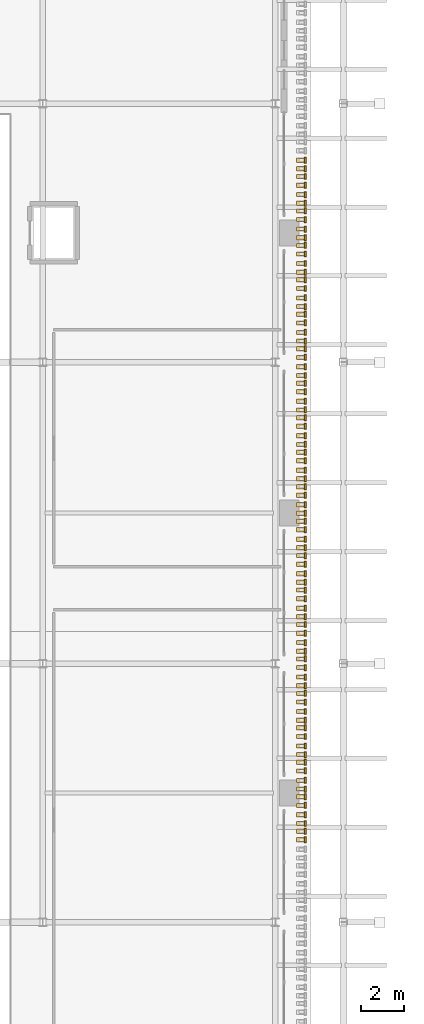
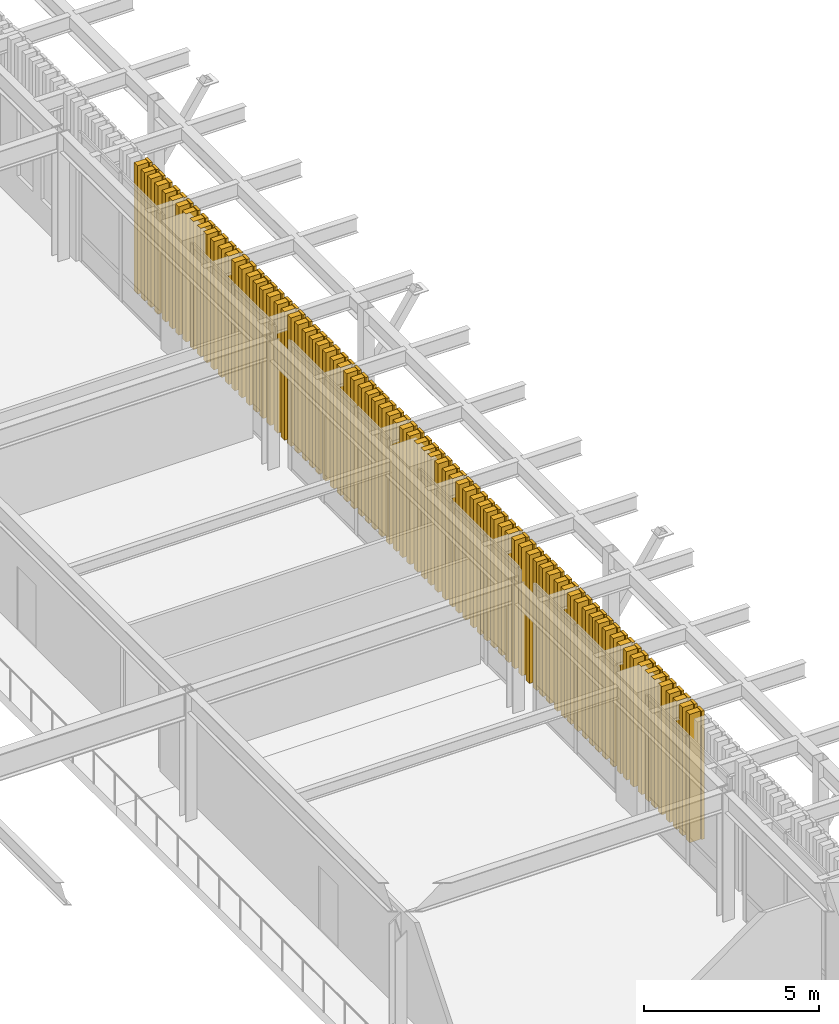
# One storey, part 122 of 126: 80 coverings, 80 shading devices.
"""IFC4 building model written with IfcOpenShell, lengths in metres."""

from ifc_helpers import new_model, si_unit, derived_unit, direction, frame, origin, origin_2d, place, context, subcontext, project, spatial, rectangle, extrude, material, layer, layer_set, material_profile, profile_set, type_object, element, save


model = new_model("IFC4")

# Units and contexts
model_context = context("Model", 3, precision=1e-05, world=origin(), true_north=direction((0.0, 1.0)))
body_context = subcontext(model_context, "Body", "Model", "MODEL_VIEW")
ifc_project = project(units=[si_unit("LENGTHUNIT", "METRE"), si_unit("AREAUNIT", "SQUARE_METRE"), si_unit("VOLUMEUNIT", "CUBIC_METRE"), si_unit("PLANEANGLEUNIT", "RADIAN"), si_unit("MASSUNIT", "GRAM", prefix="KILO"), derived_unit("THERMALTRANSMITTANCEUNIT", [(si_unit("MASSUNIT", "GRAM", prefix="KILO"), 1), (si_unit("TIMEUNIT", "SECOND"), -3), (si_unit("THERMODYNAMICTEMPERATUREUNIT", "KELVIN"), -1)])], contexts=[model_context])

# Site, building, storey
site_placement = place(None, origin())
site = spatial("IfcSite", under=ifc_project, at=site_placement, CompositionType="ELEMENT")
building_placement = place(site_placement, origin())
building = spatial("IfcBuilding", under=site, at=building_placement, Name="Valcora Ridge Arena", CompositionType="ELEMENT")
storey_placement = place(building_placement, frame((0.0, 0.0, 11.39990234375)))
storey = spatial("IfcBuildingStorey", under=building, at=storey_placement, Name="L02", CompositionType="ELEMENT", Elevation=11.39990234375)

# Coverings
ifc_material = material(Name="Anodised terracotta-bronze aluminium lancet batten 6063-T6", Category="masonry")
ifc_layer = layer(ifc_material, 0.199951171875, Name="Anodised terracotta-bronze aluminium lancet batten 6063-T6")
ifc_layer_set = layer_set([ifc_layer], Name="Anodised terracotta-bronze aluminium lancet batten 6063-T6")
covering_type = type_object("IfcCoveringType", Name="TY-COVERING-BAT-LANCET-448", PredefinedType="CLADDING", material=ifc_layer_set)
for number, where, z_axis, x_axis, name in (
    (1, (187.949951171875, 31.820068359375, 0.0), (0.0, 0.0, 1.0), (1.0, 0.0, 0.0), "BAT-LANCET-448 COV-BT-0134"),
    (2, (187.949951171875, 32.219970703125, 0.0), (0.0, 0.0, 1.0), (1.0, 0.0, 0.0), "BAT-LANCET-448 COV-BT-0136"),
    (3, (187.949951171875, 32.580078125, 0.0), (0.0, 0.0, 1.0), (1.0, 0.0, 0.0), "BAT-LANCET-448 COV-BT-0138"),
    (4, (187.949951171875, 32.97998046875, 0.0), (0.0, 0.0, 1.0), (1.0, 0.0, 0.0), "BAT-LANCET-448 COV-BT-0140"),
    (5, (187.949951171875, 33.419921875, 0.0), (0.0, 0.0, 1.0), (1.0, 0.0, 0.0), "BAT-LANCET-448 COV-BT-0142"),
    (6, (187.949951171875, 33.820068359375, 0.0), (0.0, 0.0, 1.0), (1.0, 0.0, 0.0), "BAT-LANCET-448 COV-BT-0144"),
    (7, (187.949951171875, 34.179931640625, 0.0), (0.0, 0.0, 1.0), (1.0, 0.0, 0.0), "BAT-LANCET-448 COV-BT-0146"),
    (8, (187.949951171875, 34.580078125, 0.0), (0.0, 0.0, 1.0), (1.0, 0.0, 0.0), "BAT-LANCET-448 COV-BT-0148"),
    (9, (187.949951171875, 35.02001953125, 0.0), (0.0, 0.0, 1.0), (1.0, 0.0, 0.0), "BAT-LANCET-448 COV-BT-0150"),
    (10, (187.949951171875, 35.419921875, 0.0), (0.0, 0.0, 1.0), (1.0, 0.0, 0.0), "BAT-LANCET-448 COV-BT-0152"),
    (11, (187.949951171875, 35.780029296875, 0.0), (0.0, 0.0, 1.0), (1.0, 0.0, 0.0), "BAT-LANCET-448 COV-BT-0154"),
    (12, (187.949951171875, 36.179931640625, 0.0), (0.0, 0.0, 1.0), (1.0, 0.0, 0.0), "BAT-LANCET-448 COV-BT-0156"),
    (13, (187.949951171875, 36.6201171875, 0.0), (0.0, 0.0, 1.0), (1.0, 0.0, 0.0), "BAT-LANCET-448 COV-BT-0158"),
    (14, (187.949951171875, 37.02001953125, 0.0), (0.0, 0.0, 1.0), (1.0, 0.0, 0.0), "BAT-LANCET-448 COV-BT-0160"),
    (15, (187.949951171875, 37.3798828125, 0.0), (0.0, 0.0, 1.0), (1.0, 0.0, 0.0), "BAT-LANCET-448 COV-BT-0162"),
    (16, (187.949951171875, 37.780029296875, 0.0), (0.0, 0.0, 1.0), (1.0, 0.0, 0.0), "BAT-LANCET-448 COV-BT-0164"),
    (17, (187.949951171875, 38.219970703125, 0.0), (0.0, 0.0, 1.0), (1.0, 0.0, 0.0), "BAT-LANCET-448 COV-BT-0166"),
    (18, (187.949951171875, 38.6201171875, 0.0), (0.0, 0.0, 1.0), (1.0, 0.0, 0.0), "BAT-LANCET-448 COV-BT-0168"),
    (19, (187.949951171875, 38.97998046875, 0.0), (0.0, 0.0, 1.0), (1.0, 0.0, 0.0), "BAT-LANCET-448 COV-BT-0170"),
    (20, (187.949951171875, 39.3798828125, 0.0), (0.0, 0.0, 1.0), (1.0, 0.0, 0.0), "BAT-LANCET-448 COV-BT-0172"),
    (21, (187.949951171875, 39.820068359375, 0.0), (0.0, 0.0, 1.0), (1.0, 0.0, 0.0), "BAT-LANCET-448 COV-BT-0174"),
    (22, (187.949951171875, 40.219970703125, 0.0), (0.0, 0.0, 1.0), (1.0, 0.0, 0.0), "BAT-LANCET-448 COV-BT-0176"),
    (23, (187.949951171875, 40.580078125, 0.0), (0.0, 0.0, 1.0), (1.0, 0.0, 0.0), "BAT-LANCET-448 COV-BT-0178"),
    (24, (187.949951171875, 40.97998046875, 0.0), (0.0, 0.0, 1.0), (1.0, 0.0, 0.0), "BAT-LANCET-448 COV-BT-0180"),
    (25, (187.949951171875, 41.419921875, 0.0), (0.0, 0.0, 1.0), (1.0, 0.0, 0.0), "BAT-LANCET-448 COV-BT-0182"),
    (26, (187.949951171875, 41.820068359375, 0.0), (0.0, 0.0, 1.0), (1.0, 0.0, 0.0), "BAT-LANCET-448 COV-BT-0184"),
    (27, (187.949951171875, 42.179931640625, 0.0), (0.0, 0.0, 1.0), (1.0, 0.0, 0.0), "BAT-LANCET-448 COV-BT-0186"),
    (28, (187.949951171875, 42.580078125, 0.0), (0.0, 0.0, 1.0), (1.0, 0.0, 0.0), "BAT-LANCET-448 COV-BT-0188"),
    (29, (187.949951171875, 43.02001953125, 0.0), (0.0, 0.0, 1.0), (1.0, 0.0, 0.0), "BAT-LANCET-448 COV-BT-0190"),
    (30, (187.949951171875, 43.419921875, 0.0), (0.0, 0.0, 1.0), (1.0, 0.0, 0.0), "BAT-LANCET-448 COV-BT-0192"),
    (31, (187.949951171875, 43.780029296875, 0.0), (0.0, 0.0, 1.0), (1.0, 0.0, 0.0), "BAT-LANCET-448 COV-BT-0194"),
    (32, (187.949951171875, 44.179931640625, 0.0), (0.0, 0.0, 1.0), (1.0, 0.0, 0.0), "BAT-LANCET-448 COV-BT-0196"),
    (33, (187.949951171875, 44.6201171875, 0.0), (0.0, 0.0, 1.0), (1.0, 0.0, 0.0), "BAT-LANCET-448 COV-BT-0198"),
    (34, (187.949951171875, 45.02001953125, 0.0), (0.0, 0.0, 1.0), (1.0, 0.0, 0.0), "BAT-LANCET-448 COV-BT-0200"),
    (35, (187.949951171875, 45.3798828125, 0.0), (0.0, 0.0, 1.0), (1.0, 0.0, 0.0), "BAT-LANCET-448 COV-BT-0202"),
    (36, (187.949951171875, 45.780029296875, 0.0), (0.0, 0.0, 1.0), (1.0, 0.0, 0.0), "BAT-LANCET-448 COV-BT-0204"),
    (37, (187.949951171875, 46.219970703125, 0.0), (0.0, 0.0, 1.0), (1.0, 0.0, 0.0), "BAT-LANCET-448 COV-BT-0206"),
    (38, (187.949951171875, 46.6201171875, 0.0), (0.0, 0.0, 1.0), (1.0, 0.0, 0.0), "BAT-LANCET-448 COV-BT-0208"),
    (39, (187.949951171875, 46.97998046875, 0.0), (0.0, 0.0, 1.0), (1.0, 0.0, 0.0), "BAT-LANCET-448 COV-BT-0210"),
    (40, (187.949951171875, 47.3798828125, 0.0), (0.0, 0.0, 1.0), (1.0, 0.0, 0.0), "BAT-LANCET-448 COV-BT-0212"),
    (41, (187.949951171875, 47.820068359375, 0.0), (0.0, 0.0, 1.0), (1.0, 0.0, 0.0), "BAT-LANCET-448 COV-BT-0214"),
    (42, (187.949951171875, 48.219970703125, 0.0), (0.0, 0.0, 1.0), (1.0, 0.0, 0.0), "BAT-LANCET-448 COV-BT-0216"),
    (43, (187.949951171875, 48.580078125, 0.0), (0.0, 0.0, 1.0), (1.0, 0.0, 0.0), "BAT-LANCET-448 COV-BT-0218"),
    (44, (187.949951171875, 48.97998046875, 0.0), (0.0, 0.0, 1.0), (1.0, 0.0, 0.0), "BAT-LANCET-448 COV-BT-0220"),
    (45, (187.949951171875, 49.419921875, 0.0), (0.0, 0.0, 1.0), (1.0, 0.0, 0.0), "BAT-LANCET-448 COV-BT-0222"),
    (46, (187.949951171875, 49.820068359375, 0.0), (0.0, 0.0, 1.0), (1.0, 0.0, 0.0), "BAT-LANCET-448 COV-BT-0224"),
    (47, (187.949951171875, 50.179931640625, 0.0), (0.0, 0.0, 1.0), (1.0, 0.0, 0.0), "BAT-LANCET-448 COV-BT-0226"),
    (48, (187.949951171875, 50.580078125, 0.0), (0.0, 0.0, 1.0), (1.0, 0.0, 0.0), "BAT-LANCET-448 COV-BT-0228"),
    (49, (187.949951171875, 51.02001953125, 0.0), (0.0, 0.0, 1.0), (1.0, 0.0, 0.0), "BAT-LANCET-448 COV-BT-0230"),
    (50, (187.949951171875, 51.419921875, 0.0), (0.0, 0.0, 1.0), (1.0, 0.0, 0.0), "BAT-LANCET-448 COV-BT-0232"),
    (51, (187.949951171875, 51.780029296875, 0.0), (0.0, 0.0, 1.0), (1.0, 0.0, 0.0), "BAT-LANCET-448 COV-BT-0234"),
    (52, (187.949951171875, 52.179931640625, 0.0), (0.0, 0.0, 1.0), (1.0, 0.0, 0.0), "BAT-LANCET-448 COV-BT-0236"),
    (53, (187.949951171875, 52.6201171875, 0.0), (0.0, 0.0, 1.0), (1.0, 0.0, 0.0), "BAT-LANCET-448 COV-BT-0238"),
    (54, (187.949951171875, 53.02001953125, 0.0), (0.0, 0.0, 1.0), (1.0, 0.0, 0.0), "BAT-LANCET-448 COV-BT-0240"),
    (55, (187.949951171875, 53.3798828125, 0.0), (0.0, 0.0, 1.0), (1.0, 0.0, 0.0), "BAT-LANCET-448 COV-BT-0242"),
    (56, (187.949951171875, 53.780029296875, 0.0), (0.0, 0.0, 1.0), (1.0, 0.0, 0.0), "BAT-LANCET-448 COV-BT-0244"),
    (57, (187.949951171875, 54.219970703125, 0.0), (0.0, 0.0, 1.0), (1.0, 0.0, 0.0), "BAT-LANCET-448 COV-BT-0246"),
    (58, (187.949951171875, 54.6201171875, 0.0), (0.0, 0.0, 1.0), (1.0, 0.0, 0.0), "BAT-LANCET-448 COV-BT-0248"),
    (59, (187.949951171875, 54.97998046875, 0.0), (0.0, 0.0, 1.0), (1.0, 0.0, 0.0), "BAT-LANCET-448 COV-BT-0250"),
    (60, (187.949951171875, 55.3798828125, 0.0), (0.0, 0.0, 1.0), (1.0, 0.0, 0.0), "BAT-LANCET-448 COV-BT-0252"),
    (61, (187.949951171875, 55.820068359375, 0.0), (0.0, 0.0, 1.0), (1.0, 0.0, 0.0), "BAT-LANCET-448 COV-BT-0254"),
    (62, (187.949951171875, 56.219970703125, 0.0), (0.0, 0.0, 1.0), (1.0, 0.0, 0.0), "BAT-LANCET-448 COV-BT-0256"),
    (63, (187.949951171875, 56.580078125, 0.0), (0.0, 0.0, 1.0), (1.0, 0.0, 0.0), "BAT-LANCET-448 COV-BT-0258"),
    (64, (187.949951171875, 56.97998046875, 0.0), (0.0, 0.0, 1.0), (1.0, 0.0, 0.0), "BAT-LANCET-448 COV-BT-0260"),
    (65, (187.949951171875, 57.419921875, 0.0), (0.0, 0.0, 1.0), (1.0, 0.0, 0.0), "BAT-LANCET-448 COV-BT-0262"),
    (66, (187.949951171875, 57.820068359375, 0.0), (0.0, 0.0, 1.0), (1.0, 0.0, 0.0), "BAT-LANCET-448 COV-BT-0264"),
    (67, (187.949951171875, 58.179931640625, 0.0), (0.0, 0.0, 1.0), (1.0, 0.0, 0.0), "BAT-LANCET-448 COV-BT-0266"),
    (68, (187.949951171875, 58.580078125, 0.0), (0.0, 0.0, 1.0), (1.0, 0.0, 0.0), "BAT-LANCET-448 COV-BT-0268"),
    (69, (187.949951171875, 59.02001953125, 0.0), (0.0, 0.0, 1.0), (1.0, 0.0, 0.0), "BAT-LANCET-448 COV-BT-0270"),
    (70, (187.949951171875, 59.419921875, 0.0), (0.0, 0.0, 1.0), (1.0, 0.0, 0.0), "BAT-LANCET-448 COV-BT-0272"),
    (71, (187.949951171875, 59.780029296875, 0.0), (0.0, 0.0, 1.0), (1.0, 0.0, 0.0), "BAT-LANCET-448 COV-BT-0274"),
    (72, (187.949951171875, 60.179931640625, 0.0), (0.0, 0.0, 1.0), (1.0, 0.0, 0.0), "BAT-LANCET-448 COV-BT-0276"),
    (73, (187.949951171875, 60.6201171875, 0.0), (0.0, 0.0, 1.0), (1.0, 0.0, 0.0), "BAT-LANCET-448 COV-BT-0278"),
    (74, (187.949951171875, 61.02001953125, 0.0), (0.0, 0.0, 1.0), (1.0, 0.0, 0.0), "BAT-LANCET-448 COV-BT-0280"),
    (75, (187.949951171875, 61.3798828125, 0.0), (0.0, 0.0, 1.0), (1.0, 0.0, 0.0), "BAT-LANCET-448 COV-BT-0282"),
    (76, (187.949951171875, 61.780029296875, 0.0), (0.0, 0.0, 1.0), (1.0, 0.0, 0.0), "BAT-LANCET-448 COV-BT-0284"),
    (77, (187.949951171875, 62.219970703125, 0.0), (0.0, 0.0, 1.0), (1.0, 0.0, 0.0), "BAT-LANCET-448 COV-BT-0286"),
    (78, (187.949951171875, 62.6201171875, 0.0), (0.0, 0.0, 1.0), (1.0, 0.0, 0.0), "BAT-LANCET-448 COV-BT-0288"),
    (79, (187.949951171875, 62.97998046875, 0.0), (0.0, 0.0, 1.0), (1.0, 0.0, 0.0), "BAT-LANCET-448 COV-BT-0290"),
    (80, (187.949951171875, 63.3798828125, 0.0), (0.0, 0.0, 1.0), (1.0, 0.0, 0.0), "BAT-LANCET-448 COV-BT-0292"),
):
    element("IfcCovering", number, at=place(storey_placement, frame(where, z_axis=z_axis, x_axis=x_axis)), inside=storey, type_object=covering_type, Name=name, PredefinedType="CLADDING", context=body_context, shape_type="SweptSolid", body=[
        extrude(rectangle(XDim=0.360107421875, YDim=0.199951171875, at=origin_2d()), origin(), (0.0, 0.0, 1.0), 4.47998046875),
    ])

# Shading devices
ifc_material_profile = material_profile(ifc_material, rectangle(XDim=0.090087890625, YDim=0.27587890625, at=origin_2d()), Name="ALU LANCET BATTEN 90x276")
ifc_profile_set = profile_set([ifc_material_profile], Name="Anodised terracotta-bronze aluminium lancet batten 6063-T6")
shading_device_type = type_object("IfcShadingDeviceType", Name="TY-SHADINGDEVICE-FIN-LANCET-448", PredefinedType="JALOUSIE", material=ifc_profile_set)
for number, where, z_axis, x_axis, name in (
    (81, (188.18994140625, 31.820068359375, 0.0), (0.0, 0.0, 1.0), (1.0, 0.0, 0.0), "FIN-LANCET-448 SHD-FN-0134"),
    (82, (188.18994140625, 32.219970703125, 0.0), (0.0, 0.0, 1.0), (1.0, 0.0, 0.0), "FIN-LANCET-448 SHD-FN-0136"),
    (83, (188.18994140625, 32.580078125, 0.0), (0.0, 0.0, 1.0), (1.0, 0.0, 0.0), "FIN-LANCET-448 SHD-FN-0138"),
    (84, (188.18994140625, 32.97998046875, 0.0), (0.0, 0.0, 1.0), (1.0, 0.0, 0.0), "FIN-LANCET-448 SHD-FN-0140"),
    (85, (188.18994140625, 33.419921875, 0.0), (0.0, 0.0, 1.0), (1.0, 0.0, 0.0), "FIN-LANCET-448 SHD-FN-0142"),
    (86, (188.18994140625, 33.820068359375, 0.0), (0.0, 0.0, 1.0), (1.0, 0.0, 0.0), "FIN-LANCET-448 SHD-FN-0144"),
    (87, (188.18994140625, 34.179931640625, 0.0), (0.0, 0.0, 1.0), (1.0, 0.0, 0.0), "FIN-LANCET-448 SHD-FN-0146"),
    (88, (188.18994140625, 34.580078125, 0.0), (0.0, 0.0, 1.0), (1.0, 0.0, 0.0), "FIN-LANCET-448 SHD-FN-0148"),
    (89, (188.18994140625, 35.02001953125, 0.0), (0.0, 0.0, 1.0), (1.0, 0.0, 0.0), "FIN-LANCET-448 SHD-FN-0150"),
    (90, (188.18994140625, 35.419921875, 0.0), (0.0, 0.0, 1.0), (1.0, 0.0, 0.0), "FIN-LANCET-448 SHD-FN-0152"),
    (91, (188.18994140625, 35.780029296875, 0.0), (0.0, 0.0, 1.0), (1.0, 0.0, 0.0), "FIN-LANCET-448 SHD-FN-0154"),
    (92, (188.18994140625, 36.179931640625, 0.0), (0.0, 0.0, 1.0), (1.0, 0.0, 0.0), "FIN-LANCET-448 SHD-FN-0156"),
    (93, (188.18994140625, 36.6201171875, 0.0), (0.0, 0.0, 1.0), (1.0, 0.0, 0.0), "FIN-LANCET-448 SHD-FN-0158"),
    (94, (188.18994140625, 37.02001953125, 0.0), (0.0, 0.0, 1.0), (1.0, 0.0, 0.0), "FIN-LANCET-448 SHD-FN-0160"),
    (95, (188.18994140625, 37.3798828125, 0.0), (0.0, 0.0, 1.0), (1.0, 0.0, 0.0), "FIN-LANCET-448 SHD-FN-0162"),
    (96, (188.18994140625, 37.780029296875, 0.0), (0.0, 0.0, 1.0), (1.0, 0.0, 0.0), "FIN-LANCET-448 SHD-FN-0164"),
    (97, (188.18994140625, 38.219970703125, 0.0), (0.0, 0.0, 1.0), (1.0, 0.0, 0.0), "FIN-LANCET-448 SHD-FN-0166"),
    (98, (188.18994140625, 38.6201171875, 0.0), (0.0, 0.0, 1.0), (1.0, 0.0, 0.0), "FIN-LANCET-448 SHD-FN-0168"),
    (99, (188.18994140625, 38.97998046875, 0.0), (0.0, 0.0, 1.0), (1.0, 0.0, 0.0), "FIN-LANCET-448 SHD-FN-0170"),
    (100, (188.18994140625, 39.3798828125, 0.0), (0.0, 0.0, 1.0), (1.0, 0.0, 0.0), "FIN-LANCET-448 SHD-FN-0172"),
    (101, (188.18994140625, 39.820068359375, 0.0), (0.0, 0.0, 1.0), (1.0, 0.0, 0.0), "FIN-LANCET-448 SHD-FN-0174"),
    (102, (188.18994140625, 40.219970703125, 0.0), (0.0, 0.0, 1.0), (1.0, 0.0, 0.0), "FIN-LANCET-448 SHD-FN-0176"),
    (103, (188.18994140625, 40.580078125, 0.0), (0.0, 0.0, 1.0), (1.0, 0.0, 0.0), "FIN-LANCET-448 SHD-FN-0178"),
    (104, (188.18994140625, 40.97998046875, 0.0), (0.0, 0.0, 1.0), (1.0, 0.0, 0.0), "FIN-LANCET-448 SHD-FN-0180"),
    (105, (188.18994140625, 41.419921875, 0.0), (0.0, 0.0, 1.0), (1.0, 0.0, 0.0), "FIN-LANCET-448 SHD-FN-0182"),
    (106, (188.18994140625, 41.820068359375, 0.0), (0.0, 0.0, 1.0), (1.0, 0.0, 0.0), "FIN-LANCET-448 SHD-FN-0184"),
    (107, (188.18994140625, 42.179931640625, 0.0), (0.0, 0.0, 1.0), (1.0, 0.0, 0.0), "FIN-LANCET-448 SHD-FN-0186"),
    (108, (188.18994140625, 42.580078125, 0.0), (0.0, 0.0, 1.0), (1.0, 0.0, 0.0), "FIN-LANCET-448 SHD-FN-0188"),
    (109, (188.18994140625, 43.02001953125, 0.0), (0.0, 0.0, 1.0), (1.0, 0.0, 0.0), "FIN-LANCET-448 SHD-FN-0190"),
    (110, (188.18994140625, 43.419921875, 0.0), (0.0, 0.0, 1.0), (1.0, 0.0, 0.0), "FIN-LANCET-448 SHD-FN-0192"),
    (111, (188.18994140625, 43.780029296875, 0.0), (0.0, 0.0, 1.0), (1.0, 0.0, 0.0), "FIN-LANCET-448 SHD-FN-0194"),
    (112, (188.18994140625, 44.179931640625, 0.0), (0.0, 0.0, 1.0), (1.0, 0.0, 0.0), "FIN-LANCET-448 SHD-FN-0196"),
    (113, (188.18994140625, 44.6201171875, 0.0), (0.0, 0.0, 1.0), (1.0, 0.0, 0.0), "FIN-LANCET-448 SHD-FN-0198"),
    (114, (188.18994140625, 45.02001953125, 0.0), (0.0, 0.0, 1.0), (1.0, 0.0, 0.0), "FIN-LANCET-448 SHD-FN-0200"),
    (115, (188.18994140625, 45.3798828125, 0.0), (0.0, 0.0, 1.0), (1.0, 0.0, 0.0), "FIN-LANCET-448 SHD-FN-0202"),
    (116, (188.18994140625, 45.780029296875, 0.0), (0.0, 0.0, 1.0), (1.0, 0.0, 0.0), "FIN-LANCET-448 SHD-FN-0204"),
    (117, (188.18994140625, 46.219970703125, 0.0), (0.0, 0.0, 1.0), (1.0, 0.0, 0.0), "FIN-LANCET-448 SHD-FN-0206"),
    (118, (188.18994140625, 46.6201171875, 0.0), (0.0, 0.0, 1.0), (1.0, 0.0, 0.0), "FIN-LANCET-448 SHD-FN-0208"),
    (119, (188.18994140625, 46.97998046875, 0.0), (0.0, 0.0, 1.0), (1.0, 0.0, 0.0), "FIN-LANCET-448 SHD-FN-0210"),
    (120, (188.18994140625, 47.3798828125, 0.0), (0.0, 0.0, 1.0), (1.0, 0.0, 0.0), "FIN-LANCET-448 SHD-FN-0212"),
    (121, (188.18994140625, 47.820068359375, 0.0), (0.0, 0.0, 1.0), (1.0, 0.0, 0.0), "FIN-LANCET-448 SHD-FN-0214"),
    (122, (188.18994140625, 48.219970703125, 0.0), (0.0, 0.0, 1.0), (1.0, 0.0, 0.0), "FIN-LANCET-448 SHD-FN-0216"),
    (123, (188.18994140625, 48.580078125, 0.0), (0.0, 0.0, 1.0), (1.0, 0.0, 0.0), "FIN-LANCET-448 SHD-FN-0218"),
    (124, (188.18994140625, 48.97998046875, 0.0), (0.0, 0.0, 1.0), (1.0, 0.0, 0.0), "FIN-LANCET-448 SHD-FN-0220"),
    (125, (188.18994140625, 49.419921875, 0.0), (0.0, 0.0, 1.0), (1.0, 0.0, 0.0), "FIN-LANCET-448 SHD-FN-0222"),
    (126, (188.18994140625, 49.820068359375, 0.0), (0.0, 0.0, 1.0), (1.0, 0.0, 0.0), "FIN-LANCET-448 SHD-FN-0224"),
    (127, (188.18994140625, 50.179931640625, 0.0), (0.0, 0.0, 1.0), (1.0, 0.0, 0.0), "FIN-LANCET-448 SHD-FN-0226"),
    (128, (188.18994140625, 50.580078125, 0.0), (0.0, 0.0, 1.0), (1.0, 0.0, 0.0), "FIN-LANCET-448 SHD-FN-0228"),
    (129, (188.18994140625, 51.02001953125, 0.0), (0.0, 0.0, 1.0), (1.0, 0.0, 0.0), "FIN-LANCET-448 SHD-FN-0230"),
    (130, (188.18994140625, 51.419921875, 0.0), (0.0, 0.0, 1.0), (1.0, 0.0, 0.0), "FIN-LANCET-448 SHD-FN-0232"),
    (131, (188.18994140625, 51.780029296875, 0.0), (0.0, 0.0, 1.0), (1.0, 0.0, 0.0), "FIN-LANCET-448 SHD-FN-0234"),
    (132, (188.18994140625, 52.179931640625, 0.0), (0.0, 0.0, 1.0), (1.0, 0.0, 0.0), "FIN-LANCET-448 SHD-FN-0236"),
    (133, (188.18994140625, 52.6201171875, 0.0), (0.0, 0.0, 1.0), (1.0, 0.0, 0.0), "FIN-LANCET-448 SHD-FN-0238"),
    (134, (188.18994140625, 53.02001953125, 0.0), (0.0, 0.0, 1.0), (1.0, 0.0, 0.0), "FIN-LANCET-448 SHD-FN-0240"),
    (135, (188.18994140625, 53.3798828125, 0.0), (0.0, 0.0, 1.0), (1.0, 0.0, 0.0), "FIN-LANCET-448 SHD-FN-0242"),
    (136, (188.18994140625, 53.780029296875, 0.0), (0.0, 0.0, 1.0), (1.0, 0.0, 0.0), "FIN-LANCET-448 SHD-FN-0244"),
    (137, (188.18994140625, 54.219970703125, 0.0), (0.0, 0.0, 1.0), (1.0, 0.0, 0.0), "FIN-LANCET-448 SHD-FN-0246"),
    (138, (188.18994140625, 54.6201171875, 0.0), (0.0, 0.0, 1.0), (1.0, 0.0, 0.0), "FIN-LANCET-448 SHD-FN-0248"),
    (139, (188.18994140625, 54.97998046875, 0.0), (0.0, 0.0, 1.0), (1.0, 0.0, 0.0), "FIN-LANCET-448 SHD-FN-0250"),
    (140, (188.18994140625, 55.3798828125, 0.0), (0.0, 0.0, 1.0), (1.0, 0.0, 0.0), "FIN-LANCET-448 SHD-FN-0252"),
    (141, (188.18994140625, 55.820068359375, 0.0), (0.0, 0.0, 1.0), (1.0, 0.0, 0.0), "FIN-LANCET-448 SHD-FN-0254"),
    (142, (188.18994140625, 56.219970703125, 0.0), (0.0, 0.0, 1.0), (1.0, 0.0, 0.0), "FIN-LANCET-448 SHD-FN-0256"),
    (143, (188.18994140625, 56.580078125, 0.0), (0.0, 0.0, 1.0), (1.0, 0.0, 0.0), "FIN-LANCET-448 SHD-FN-0258"),
    (144, (188.18994140625, 56.97998046875, 0.0), (0.0, 0.0, 1.0), (1.0, 0.0, 0.0), "FIN-LANCET-448 SHD-FN-0260"),
    (145, (188.18994140625, 57.419921875, 0.0), (0.0, 0.0, 1.0), (1.0, 0.0, 0.0), "FIN-LANCET-448 SHD-FN-0262"),
    (146, (188.18994140625, 57.820068359375, 0.0), (0.0, 0.0, 1.0), (1.0, 0.0, 0.0), "FIN-LANCET-448 SHD-FN-0264"),
    (147, (188.18994140625, 58.179931640625, 0.0), (0.0, 0.0, 1.0), (1.0, 0.0, 0.0), "FIN-LANCET-448 SHD-FN-0266"),
    (148, (188.18994140625, 58.580078125, 0.0), (0.0, 0.0, 1.0), (1.0, 0.0, 0.0), "FIN-LANCET-448 SHD-FN-0268"),
    (149, (188.18994140625, 59.02001953125, 0.0), (0.0, 0.0, 1.0), (1.0, 0.0, 0.0), "FIN-LANCET-448 SHD-FN-0270"),
    (150, (188.18994140625, 59.419921875, 0.0), (0.0, 0.0, 1.0), (1.0, 0.0, 0.0), "FIN-LANCET-448 SHD-FN-0272"),
    (151, (188.18994140625, 59.780029296875, 0.0), (0.0, 0.0, 1.0), (1.0, 0.0, 0.0), "FIN-LANCET-448 SHD-FN-0274"),
    (152, (188.18994140625, 60.179931640625, 0.0), (0.0, 0.0, 1.0), (1.0, 0.0, 0.0), "FIN-LANCET-448 SHD-FN-0276"),
    (153, (188.18994140625, 60.6201171875, 0.0), (0.0, 0.0, 1.0), (1.0, 0.0, 0.0), "FIN-LANCET-448 SHD-FN-0278"),
    (154, (188.18994140625, 61.02001953125, 0.0), (0.0, 0.0, 1.0), (1.0, 0.0, 0.0), "FIN-LANCET-448 SHD-FN-0280"),
    (155, (188.18994140625, 61.3798828125, 0.0), (0.0, 0.0, 1.0), (1.0, 0.0, 0.0), "FIN-LANCET-448 SHD-FN-0282"),
    (156, (188.18994140625, 61.780029296875, 0.0), (0.0, 0.0, 1.0), (1.0, 0.0, 0.0), "FIN-LANCET-448 SHD-FN-0284"),
    (157, (188.18994140625, 62.219970703125, 0.0), (0.0, 0.0, 1.0), (1.0, 0.0, 0.0), "FIN-LANCET-448 SHD-FN-0286"),
    (158, (188.18994140625, 62.6201171875, 0.0), (0.0, 0.0, 1.0), (1.0, 0.0, 0.0), "FIN-LANCET-448 SHD-FN-0288"),
    (159, (188.18994140625, 62.97998046875, 0.0), (0.0, 0.0, 1.0), (1.0, 0.0, 0.0), "FIN-LANCET-448 SHD-FN-0290"),
    (160, (188.18994140625, 63.3798828125, 0.0), (0.0, 0.0, 1.0), (1.0, 0.0, 0.0), "FIN-LANCET-448 SHD-FN-0292"),
):
    element("IfcShadingDevice", number, at=place(storey_placement, frame(where, z_axis=z_axis, x_axis=x_axis)), inside=storey, type_object=shading_device_type, Name=name, PredefinedType="JALOUSIE", context=body_context, shape_type="SweptSolid", body=[
        extrude(rectangle(XDim=0.090087890625, YDim=0.27587890625, at=origin_2d()), origin(), (0.0, 0.0, 1.0), 4.47998046875),
    ])

save(model, "model.ifc")
